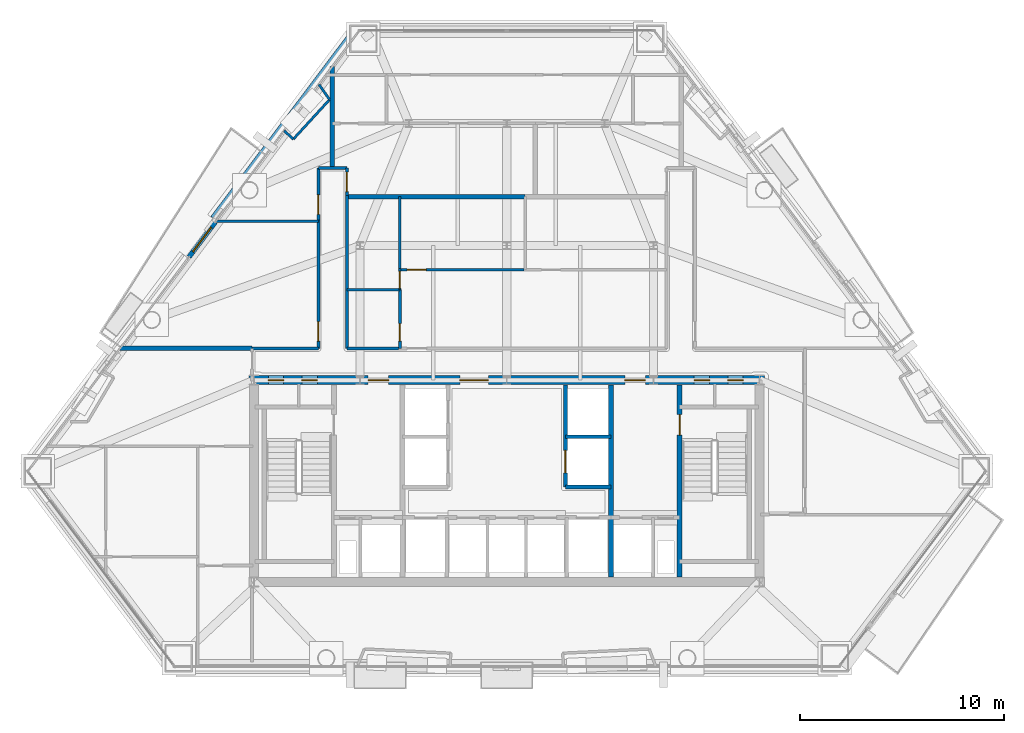
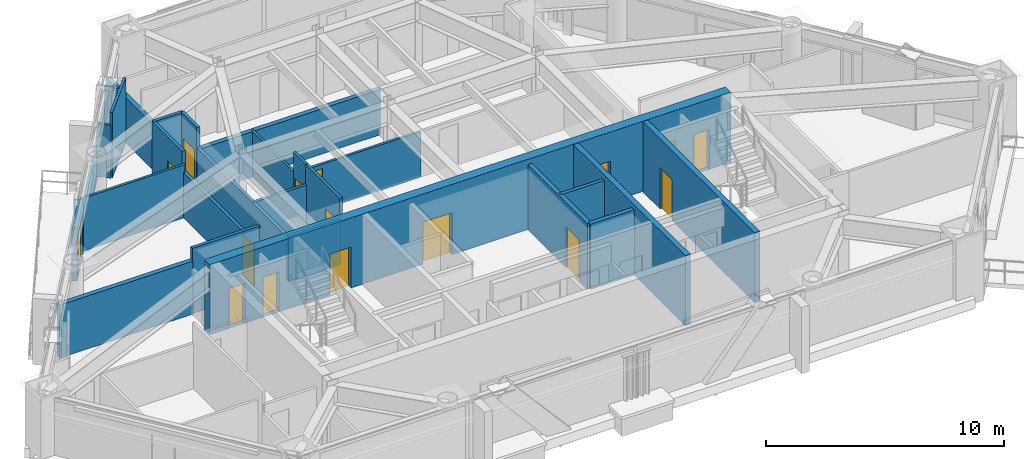
# One storey, part 7 of 11: 27 walls, 16 doors, 16 openings.
"""IFC4 building model written with IfcOpenShell, lengths in metres."""

import ifcopenshell
import ifcopenshell.guid

model = None  # the IFC model being written
_history = None  # IfcOwnerHistory: only IFC2X3 demands one
_inside = {}  # id of a spatial element -> (the spatial element, [elements in it])
_under = {}  # id of a project, library or spatial element -> (it, [spatial elements below it])
_declared = {}  # id of a project -> (the project, [libraries it declares])
_typed = {}  # id of a type object -> (the type object, [elements of that type])
_made_of = {}  # id of a material, layer set ... -> (it, [elements and type objects made of it])


def new_model(schema):
    """Start an empty IFC model of exactly this schema.

    Asked for "IFC4X3", IfcOpenShell would pick the latest addendum, in which some entities
    have other attributes; the version numbers below select the first issue.
    IFC2X3 requires an IfcOwnerHistory on every rooted entity: one is made here for all.
    """
    global model, _history
    if schema == "IFC4X3":
        model = ifcopenshell.file(schema_version=(4, 3, 0, 0))
    else:
        model = ifcopenshell.file(schema=schema)
    _inside.clear()
    _under.clear()
    _declared.clear()
    _typed.clear()
    _made_of.clear()
    _history = None
    if model.schema == "IFC2X3":
        org = make("IfcOrganization", Name="unknown")
        user = make(
            "IfcPersonAndOrganization",
            ThePerson=make("IfcPerson", FamilyName="unknown"),
            TheOrganization=org,
        )
        app = make(
            "IfcApplication",
            ApplicationDeveloper=org,
            Version="unknown",
            ApplicationFullName="unknown",
            ApplicationIdentifier="unknown",
        )
        _history = make(
            "IfcOwnerHistory",
            OwningUser=user,
            OwningApplication=app,
            ChangeAction="ADDED",
            CreationDate=0,
        )
    return model


def make(cls, **values):
    """One entity of the class cls with the attributes given. An attribute that is None is left unset."""
    return model.create_entity(
        cls, **{name: value for name, value in values.items() if value is not None}
    )


def rooted(cls, **values):
    """An entity with a GlobalId (a new one), such as an element, a storey or a relation."""
    return make(cls, GlobalId=ifcopenshell.guid.new(), OwnerHistory=_history, **values)


def si_unit(unit_type, name, prefix=None):
    """IfcSIUnit, for example si_unit("LENGTHUNIT", "METRE", prefix="MILLI")."""
    return make("IfcSIUnit", UnitType=unit_type, Prefix=prefix, Name=name)


def assignment(units):
    """IfcUnitAssignment: the units of a project."""
    return None if units is None else make("IfcUnitAssignment", Units=units)


def point(xyz):
    """IfcCartesianPoint."""
    return None if xyz is None else make("IfcCartesianPoint", Coordinates=xyz)


def direction(xyz):
    """IfcDirection."""
    return None if xyz is None else make("IfcDirection", DirectionRatios=xyz)


def frame(location, z_axis=None, x_axis=None):
    """IfcAxis2Placement3D, a coordinate frame: its origin and axes. An axis left out is left unset."""
    return make(
        "IfcAxis2Placement3D",
        Location=point(location),
        Axis=direction(z_axis),
        RefDirection=direction(x_axis),
    )


def frame_2d(location, x_axis=None):
    """IfcAxis2Placement2D, a coordinate frame in the plane: its origin and x axis."""
    return make(
        "IfcAxis2Placement2D", Location=point(location), RefDirection=direction(x_axis)
    )


def origin():
    """The frame at (0, 0, 0) with its axes left unset."""
    return frame((0.0, 0.0, 0.0))


def place(relative_to, where):
    """IfcLocalPlacement: puts the frame where relative to a parent placement (None: the world)."""
    return make(
        "IfcLocalPlacement", PlacementRelTo=relative_to, RelativePlacement=where
    )


def context(
    kind, dimensions, precision=None, world=None, true_north=None, identifier=None
):
    """IfcGeometricRepresentationContext, for example the 3D "Model" context."""
    return make(
        "IfcGeometricRepresentationContext",
        ContextIdentifier=identifier,
        ContextType=kind,
        CoordinateSpaceDimension=dimensions,
        Precision=precision,
        WorldCoordinateSystem=world,
        TrueNorth=true_north,
    )


def subcontext(parent, identifier, kind, view, scale=None):
    """IfcGeometricRepresentationSubContext, for example "Body" below "Model"."""
    return make(
        "IfcGeometricRepresentationSubContext",
        ContextIdentifier=identifier,
        ContextType=kind,
        ParentContext=parent,
        TargetScale=scale,
        TargetView=view,
    )


def project(units=None, contexts=None):
    """IfcProject with its units and contexts."""
    return rooted(
        "IfcProject",
        Name="project",
        RepresentationContexts=contexts,
        UnitsInContext=assignment(units),
    )


def spatial(cls, under=None, at=None, **own):
    """A site, building, storey or space (cls), placed at a placement, below another one or the project."""
    s = rooted(cls, ObjectPlacement=at, **own)
    if under is not None:
        _under.setdefault(under.id(), (under, []))[1].append(s)
    return s


def profile(cls, at=None, kind="AREA", **sizes):
    """A parametric profile (cls). Its sizes go by their IFC names, for example OverallWidth=200.0."""
    return make(cls, ProfileType=kind, Position=at, **sizes)


def rectangle(**sizes):
    """IfcRectangleProfileDef."""
    return profile("IfcRectangleProfileDef", **sizes)


def extrude(swept, where, along, depth):
    """IfcExtrudedAreaSolid: the profile swept, set in the frame where, extruded along a direction by depth."""
    return make(
        "IfcExtrudedAreaSolid",
        SweptArea=swept,
        Position=where,
        ExtrudedDirection=direction(along),
        Depth=depth,
    )


def shape(context_of_items, identifier, shape_type, items):
    """IfcShapeRepresentation: the items that make up one representation, for example the "Body"."""
    return make(
        "IfcShapeRepresentation",
        ContextOfItems=context_of_items,
        RepresentationIdentifier=identifier,
        RepresentationType=shape_type,
        Items=items,
    )


def material(Name=None, Category=None):
    """IfcMaterial."""
    return make("IfcMaterial", Name=Name, Category=Category)


def layer(
    of_material, thickness, ventilated=None, Name=None, Category=None, Priority=None
):
    """IfcMaterialLayer: one layer of a wall or slab, of a material (None: an air gap)."""
    return make(
        "IfcMaterialLayer",
        Material=of_material,
        LayerThickness=thickness,
        IsVentilated=ventilated,
        Name=Name,
        Category=Category,
        Priority=Priority,
    )


def layer_set(layers, Name=None):
    """IfcMaterialLayerSet."""
    return make("IfcMaterialLayerSet", MaterialLayers=layers, LayerSetName=Name)


def made_of(thing, what):
    """Note that an element or type object is made of a material, layer set ...; save() writes the relation."""
    if what is not None:
        _made_of.setdefault(what.id(), (what, []))[1].append(thing)
    return thing


def type_object(cls, material=None, **own):
    """A type object (cls), such as IfcWallType, which elements share."""
    return made_of(rooted(cls, **own), material)


def element(
    cls,
    number,
    at=None,
    inside=None,
    cuts=None,
    type_object=None,
    material=None,
    context=None,
    identifier="Body",
    shape_type=None,
    held_by="IfcProductDefinitionShape",
    body=None,
    shapes=None,
    **own,
):
    """One element of the class cls, such as IfcWall. Its Tag is "e" and its number.

    at: its placement. inside: the storey or other place that contains it. cuts: it is an
    opening in that element (IfcRelVoidsElement). A single representation is given by context,
    identifier, shape_type and body (its items); several are given by shapes. held_by: the class
    of the entity that holds the representations. save() writes the other relations.
    """
    e = rooted(cls, Tag="e%d" % number, ObjectPlacement=at, **own)
    if body is not None:
        shapes = [shape(context, identifier, shape_type, body)]
    if shapes is not None:
        e.Representation = make(held_by, Representations=shapes)
    if inside is not None:
        _inside.setdefault(inside.id(), (inside, []))[1].append(e)
    if cuts is not None:
        rooted(
            "IfcRelVoidsElement", RelatingBuildingElement=cuts, RelatedOpeningElement=e
        )
    if type_object is not None:
        _typed.setdefault(type_object.id(), (type_object, []))[1].append(e)
    return made_of(e, material)


def fill(opening, filler):
    """IfcRelFillsElement: the door or window that sits in an opening."""
    return rooted(
        "IfcRelFillsElement",
        RelatingOpeningElement=opening,
        RelatedBuildingElement=filler,
    )


def aggregate(whole, parts):
    """IfcRelAggregates: a whole, such as a stair, and the parts it consists of."""
    return rooted("IfcRelAggregates", RelatingObject=whole, RelatedObjects=parts)


def save(model, path):
    """Write the relations noted so far, then the file.

    IfcRelAggregates (storeys below a building ...), IfcRelContainedInSpatialStructure (elements
    in a storey), IfcRelDefinesByType, IfcRelAssociatesMaterial and IfcRelDeclares: one each for
    every whole, place, type object, material and project.
    """
    for whole, parts in _under.values():
        aggregate(whole, parts)
    for where, things in _inside.values():
        rooted(
            "IfcRelContainedInSpatialStructure",
            RelatedElements=things,
            RelatingStructure=where,
        )
    for kind, things in _typed.values():
        rooted("IfcRelDefinesByType", RelatedObjects=things, RelatingType=kind)
    for what, things in _made_of.values():
        rooted("IfcRelAssociatesMaterial", RelatedObjects=things, RelatingMaterial=what)
    for by, libraries in _declared.values():
        rooted("IfcRelDeclares", RelatingContext=by, RelatedDefinitions=libraries)
    model.write(path)


model = new_model("IFC4")

# Units and contexts
model_context = context("Model", 3, precision=1e-05, world=origin(), true_north=direction((0.0, 1.0)))
body_context = subcontext(model_context, "Body", "Model", "MODEL_VIEW")
ifc_project = project(units=[si_unit("LENGTHUNIT", "METRE"), si_unit("AREAUNIT", "SQUARE_METRE"), si_unit("VOLUMEUNIT", "CUBIC_METRE"), si_unit("PLANEANGLEUNIT", "RADIAN"), si_unit("MASSUNIT", "GRAM", prefix="KILO")], contexts=[model_context])

# Site, building, storey
site_placement = place(None, origin())
site = spatial("IfcSite", under=ifc_project, at=site_placement, CompositionType="ELEMENT")
building_placement = place(site_placement, origin())
building = spatial("IfcBuilding", under=site, at=building_placement, Name="Talgorran Terracotta Tower", CompositionType="ELEMENT")
storey_placement = place(building_placement, frame((0.0, 0.0, 79.199951171875)))
storey = spatial("IfcBuildingStorey", under=building, at=storey_placement, Name="L20", CompositionType="ELEMENT", Elevation=79.199951171875)

# Wall, opening, door
ifc_material_1 = material(Name="Concrete C40/50", Category="concrete")
ifc_layer_1 = layer(ifc_material_1, 0.239990234375, Name="WT_BALCONY_SPAND")
ifc_layer_set_1 = layer_set([ifc_layer_1], Name="Concrete C40/50")
wall_type_1 = type_object("IfcWallType", Name="WT_BALCONY_SPAND", PredefinedType="STANDARD", material=ifc_layer_set_1)
wall_1_placement = place(storey_placement, frame((-14.303955078125, 3.556640625, -0.014892578125), z_axis=(0.0, 0.0, 1.0), x_axis=(-0.601313387004, -0.799013273112, 0.0)))
wall_1 = element("IfcWall", 1, at=wall_1_placement, inside=storey, type_object=wall_type_1, Name="WL-L20-BALP-BAL-NW", PredefinedType="STANDARD", context=body_context, shape_type="SweptSolid", body=[
    extrude(rectangle(XDim=2.14013671875, YDim=0.239990234375, at=frame_2d((1.070068359375, 0.0))), origin(), (0.0, 0.0, 1.0), 2.728271484375),
])
opening_1_placement = place(wall_1_placement, frame((0.320068359375, 0.0, 0.014892578125)))
opening_1 = element("IfcOpeningElement", 2, at=opening_1_placement, cuts=wall_1, Name="Opening D-BAL-L20-2", PredefinedType="OPENING", context=body_context, shape_type="SweptSolid", body=[
    extrude(rectangle(XDim=1.506, YDim=2.203951171875, at=frame_2d((0.75, 1.10205078125))), frame((0.0, 0.1298828125, 0.0), z_axis=(0.0, -1.0, 0.0), x_axis=(1.0, 0.0, 0.0)), (0.0, 0.0, 1.0), 0.260009765625),
])
ifc_material_2 = material(Name="Thermally Broken Aluminium", Category="aluminium")
door_type_1 = type_object("IfcDoorType", Name="DT_BALC_1500", OperationType="SLIDING_TO_RIGHT", PredefinedType="DOOR", material=ifc_material_2)
door_1_placement = place(opening_1_placement, origin())
door_1 = element("IfcDoor", 3, at=door_1_placement, inside=storey, type_object=door_type_1, Name="DR-L20-BAL-BAL-NW", OperationType="SLIDING_TO_RIGHT", OverallHeight=2.199951171875, OverallWidth=1.5, PredefinedType="DOOR", context=body_context, shape_type="SweptSolid", body=[
    extrude(rectangle(XDim=1.5, YDim=2.199951171875, at=frame_2d((0.75, 1.10009765625))), frame((0.0, 0.02490234375, 0.0), z_axis=(0.0, -1.0, 0.0), x_axis=(1.0, 0.0, 0.0)), (0.0, 0.0, 1.0), 0.050048828125),
])
fill(opening_1, door_1)

ifc_material_3 = material(Name="Concrete C50/60", Category="concrete")
ifc_layer_2 = layer(ifc_material_3, 0.199951171875, Name="WT_CORE_200")
ifc_layer_set_2 = layer_set([ifc_layer_2], Name="Concrete C50/60")
wall_type_2 = type_object("IfcWallType", Name="WT_CORE_200", PredefinedType="SOLIDWALL", material=ifc_layer_set_2)
wall_2_placement = place(storey_placement, frame((2.8798828125, -9.449951171875, 0.0), z_axis=(0.0, 0.0, 1.0), x_axis=(0.0, 1.0, 0.0)))
wall_2 = element("IfcWall", 4, at=wall_2_placement, inside=storey, type_object=wall_type_2, Name="WL-L20-CW-V-E3", PredefinedType="SOLIDWALL", context=body_context, shape_type="SweptSolid", body=[
    extrude(rectangle(XDim=5.0, YDim=0.199951171875, at=frame_2d((2.5, 0.0))), origin(), (0.0, 0.0, 1.0), 3.35009765625),
])
opening_2_placement = place(wall_2_placement, frame((0.699951171875, 0.0, 0.0)))
opening_2 = element("IfcOpeningElement", 5, at=opening_2_placement, cuts=wall_2, Name="Opening LD-PLM1", PredefinedType="OPENING", context=body_context, shape_type="SweptSolid", body=[
    extrude(rectangle(XDim=1.10609765625, YDim=2.10409765625, at=frame_2d((0.550048828125, 1.052001953125))), frame((0.0, 0.10986328125, 0.0), z_axis=(0.0, -1.0, 0.0), x_axis=(1.0, 0.0, 0.0)), (0.0, 0.0, 1.0), 0.219970703125),
])
ifc_material_4 = material(Name="Brushed Stainless Steel Grade 304", Category="steel")
door_type_2 = type_object("IfcDoorType", Name="DT_LIFT_LD1100", OperationType="DOUBLE_DOOR_SLIDING", PredefinedType="DOOR", material=ifc_material_4)
door_2_placement = place(opening_2_placement, origin())
door_2 = element("IfcDoor", 6, at=door_2_placement, inside=storey, type_object=door_type_2, Name="L20 Lift Landing Door LD-PLM1", OperationType="DOUBLE_DOOR_SLIDING", OverallHeight=2.10009765625, OverallWidth=1.10009765625, PredefinedType="DOOR", context=body_context, shape_type="SweptSolid", body=[
    extrude(rectangle(XDim=1.10009765625, YDim=2.10009765625, at=frame_2d((0.550048828125, 1.050048828125))), frame((0.0, 0.02490234375, 0.0), z_axis=(0.0, -1.0, 0.0), x_axis=(1.0, 0.0, 0.0)), (0.0, 0.0, 1.0), 0.050048828125),
])
fill(opening_2, door_2)

# Wall
wall_3_placement = place(storey_placement, frame((2.8798828125, -9.449951171875, 0.0), z_axis=(0.0, 0.0, 1.0), x_axis=(1.0, 0.0, 0.0)))
element("IfcWall", 7, at=wall_3_placement, inside=storey, type_object=wall_type_2, Name="WL-L20-CW-H-E4", PredefinedType="SOLIDWALL", context=body_context, shape_type="SweptSolid", body=[
    extrude(rectangle(XDim=2.240234375, YDim=0.199951171875, at=frame_2d((1.1201171875, 0.0))), origin(), (0.0, 0.0, 1.0), 3.35009765625),
])

# Wall, opening, door
ifc_layer_3 = layer(ifc_material_3, 0.25, Name="WT_CORE_250")
ifc_layer_set_3 = layer_set([ifc_layer_3], Name="Concrete C50/60")
wall_type_3 = type_object("IfcWallType", Name="WT_CORE_250", PredefinedType="SHEAR", material=ifc_layer_set_3)
wall_4_placement = place(storey_placement, frame((8.47998046875, -13.85009765625, 0.0), z_axis=(0.0, 0.0, 1.0), x_axis=(0.0, 1.0, 0.0)))
wall_4 = element("IfcWall", 8, at=wall_4_placement, inside=storey, type_object=wall_type_3, Name="WL-L20-CW-V-E1", PredefinedType="SHEAR", context=body_context, shape_type="SweptSolid", body=[
    extrude(rectangle(XDim=9.400146484375, YDim=0.25, at=frame_2d((4.7001953125, 0.0))), origin(), (0.0, 0.0, 1.0), 3.60009765625),
])
opening_3_placement = place(wall_4_placement, frame((6.949951171875, 0.0, 0.0)))
opening_3 = element("IfcOpeningElement", 9, at=opening_3_placement, cuts=wall_4, Name="Opening DR-ST02", PredefinedType="OPENING", context=body_context, shape_type="SweptSolid", body=[
    extrude(rectangle(XDim=1.006, YDim=2.10409765625, at=frame_2d((0.5, 1.052001953125))), frame((0.0, 0.135009765625, 0.0), z_axis=(0.0, -1.0, 0.0), x_axis=(1.0, 0.0, 0.0)), (0.0, 0.0, 1.0), 0.27001953125),
])
ifc_material_5 = material(Name="Fire-Rated Pressed Steel", Category="steel")
door_type_3 = type_object("IfcDoorType", Name="DT_FIRE_1000", OperationType="NOTDEFINED", PredefinedType="DOOR", material=ifc_material_5)
door_3_placement = place(opening_3_placement, origin())
door_3 = element("IfcDoor", 10, at=door_3_placement, inside=storey, type_object=door_type_3, Name="DR-ST02", OperationType="SINGLE_SWING_RIGHT", OverallHeight=2.10009765625, OverallWidth=1.0, PredefinedType="DOOR", context=body_context, shape_type="SweptSolid", body=[
    extrude(rectangle(XDim=1.0, YDim=2.10009765625, at=frame_2d((0.5, 1.050048828125))), frame((0.0, 0.02490234375, 0.0), z_axis=(0.0, -1.0, 0.0), x_axis=(1.0, 0.0, 0.0)), (0.0, 0.0, 1.0), 0.050048828125),
])
fill(opening_3, door_3)

# Wall
wall_5_placement = place(storey_placement, frame((5.1201171875, -13.85009765625, 0.0), z_axis=(0.0, 0.0, 1.0), x_axis=(0.0, 1.0, 0.0)))
element("IfcWall", 11, at=wall_5_placement, inside=storey, type_object=wall_type_3, Name="WL-L20-CW-V-E2", PredefinedType="SHEAR", context=body_context, shape_type="SweptSolid", body=[
    extrude(rectangle(XDim=9.400146484375, YDim=0.25, at=frame_2d((4.7001953125, 0.0))), origin(), (0.0, 0.0, 1.0), 3.60009765625),
])

# Wall, openings, doors
ifc_material_6 = material(Name="Concrete C65/80", Category="concrete")
ifc_layer_4 = layer(ifc_material_6, 0.449951171875, Name="WT_CORE_EXT")
ifc_layer_set_4 = layer_set([ifc_layer_4], Name="Concrete C65/80")
wall_type_4 = type_object("IfcWallType", Name="WT_CORE_EXT", PredefinedType="SHEAR", material=ifc_layer_set_4)
wall_6_placement = place(storey_placement, frame((-12.64990234375, -4.199951171875, 0.0), z_axis=(0.0, 0.0, 1.0), x_axis=(1.0, 0.0, 0.0)))
wall_6 = element("IfcWall", 12, at=wall_6_placement, inside=storey, type_object=wall_type_4, Name="WL-L20-CW-OUT-N", PredefinedType="SHEAR", context=body_context, shape_type="SweptSolid", body=[
    extrude(rectangle(XDim=25.2998046875, YDim=0.449951171875, at=frame_2d((12.64990234375, 0.0))), origin(), (0.0, 0.0, 1.0), 3.60009765625),
])
opening_4_placement = place(wall_6_placement, frame((0.949951171875, 0.0, 0.0)))
opening_4 = element("IfcOpeningElement", 13, at=opening_4_placement, cuts=wall_6, Name="Opening DR-CSN1", PredefinedType="OPENING", context=body_context, shape_type="SweptSolid", body=[
    extrude(rectangle(XDim=0.756, YDim=2.054048828125, at=frame_2d((0.375, 1.027099609375))), frame((0.0, 0.23486328125, 0.0), z_axis=(0.0, -1.0, 0.0), x_axis=(1.0, 0.0, 0.0)), (0.0, 0.0, 1.0), 0.469970703125),
])
opening_5_placement = place(wall_6_placement, frame((2.60009765625, 0.0, 0.0)))
opening_5 = element("IfcOpeningElement", 14, at=opening_5_placement, cuts=wall_6, Name="Opening DR-CSN2", PredefinedType="OPENING", context=body_context, shape_type="SweptSolid", body=[
    extrude(rectangle(XDim=0.756, YDim=2.054048828125, at=frame_2d((0.375, 1.027099609375))), frame((0.0, 0.23486328125, 0.0), z_axis=(0.0, -1.0, 0.0), x_axis=(1.0, 0.0, 0.0)), (0.0, 0.0, 1.0), 0.469970703125),
])
opening_6_placement = place(wall_6_placement, frame((21.85009765625, 0.0, 0.0)))
opening_6 = element("IfcOpeningElement", 15, at=opening_6_placement, cuts=wall_6, Name="Opening DR-CSN3", PredefinedType="OPENING", context=body_context, shape_type="SweptSolid", body=[
    extrude(rectangle(XDim=0.756, YDim=2.054048828125, at=frame_2d((0.375, 1.027099609375))), frame((0.0, 0.23486328125, 0.0), z_axis=(0.0, -1.0, 0.0), x_axis=(1.0, 0.0, 0.0)), (0.0, 0.0, 1.0), 0.469970703125),
])
opening_7_placement = place(wall_6_placement, frame((23.5, 0.0, 0.0)))
opening_7 = element("IfcOpeningElement", 16, at=opening_7_placement, cuts=wall_6, Name="Opening DR-CSN4", PredefinedType="OPENING", context=body_context, shape_type="SweptSolid", body=[
    extrude(rectangle(XDim=0.756, YDim=2.054048828125, at=frame_2d((0.375, 1.027099609375))), frame((0.0, 0.23486328125, 0.0), z_axis=(0.0, -1.0, 0.0), x_axis=(1.0, 0.0, 0.0)), (0.0, 0.0, 1.0), 0.469970703125),
])
opening_8_placement = place(wall_6_placement, frame((5.85009765625, 0.0, 0.0)))
opening_8 = element("IfcOpeningElement", 17, at=opening_8_placement, cuts=wall_6, Name="Opening DR-FFLW-N", PredefinedType="OPENING", context=body_context, shape_type="SweptSolid", body=[
    extrude(rectangle(XDim=1.006, YDim=2.10409765625, at=frame_2d((0.5, 1.052001953125))), frame((0.0, 0.23486328125, 0.0), z_axis=(0.0, -1.0, 0.0), x_axis=(1.0, 0.0, 0.0)), (0.0, 0.0, 1.0), 0.469970703125),
])
opening_9_placement = place(wall_6_placement, frame((10.35009765625, 0.0, 0.0)))
opening_9 = element("IfcOpeningElement", 18, at=opening_9_placement, cuts=wall_6, Name="Opening DR-PLL-N", PredefinedType="OPENING", context=body_context, shape_type="SweptSolid", body=[
    extrude(rectangle(XDim=1.40590234375, YDim=2.15390234375, at=frame_2d((0.699951171875, 1.076904296875))), frame((0.0, 0.23486328125, 0.0), z_axis=(0.0, -1.0, 0.0), x_axis=(1.0, 0.0, 0.0)), (0.0, 0.0, 1.0), 0.469970703125),
])
opening_10_placement = place(wall_6_placement, frame((18.449951171875, 0.0, 0.0)))
opening_10 = element("IfcOpeningElement", 19, at=opening_10_placement, cuts=wall_6, Name="Opening DR-FFLE-N", PredefinedType="OPENING", context=body_context, shape_type="SweptSolid", body=[
    extrude(rectangle(XDim=1.006, YDim=2.10409765625, at=frame_2d((0.5, 1.052001953125))), frame((0.0, 0.23486328125, 0.0), z_axis=(0.0, -1.0, 0.0), x_axis=(1.0, 0.0, 0.0)), (0.0, 0.0, 1.0), 0.469970703125),
])
ifc_material_7 = material(Name="Acoustic Glazed Timber", Category="wood")
door_type_4 = type_object("IfcDoorType", Name="DT_DOUBLE_1400", OperationType="DOUBLE_DOOR_SINGLE_SWING", PredefinedType="DOOR", material=ifc_material_7)
door_4_placement = place(opening_9_placement, origin())
door_4 = element("IfcDoor", 20, at=door_4_placement, inside=storey, type_object=door_type_4, Name="DR-PLL-N", OperationType="DOUBLE_DOOR_SINGLE_SWING", OverallHeight=2.14990234375, OverallWidth=1.39990234375, PredefinedType="DOOR", context=body_context, shape_type="SweptSolid", body=[
    extrude(rectangle(XDim=1.39990234375, YDim=2.14990234375, at=frame_2d((0.699951171875, 1.074951171875))), frame((0.0, 0.02490234375, 0.0), z_axis=(0.0, -1.0, 0.0), x_axis=(1.0, 0.0, 0.0)), (0.0, 0.0, 1.0), 0.050048828125),
])
fill(opening_9, door_4)
door_5_placement = place(opening_8_placement, origin())
door_5 = element("IfcDoor", 21, at=door_5_placement, inside=storey, type_object=door_type_3, Name="DR-FFLW-N", OperationType="SINGLE_SWING_LEFT", OverallHeight=2.10009765625, OverallWidth=1.0, PredefinedType="DOOR", context=body_context, shape_type="SweptSolid", body=[
    extrude(rectangle(XDim=1.0, YDim=2.10009765625, at=frame_2d((0.5, 1.050048828125))), frame((0.0, 0.02490234375, 0.0), z_axis=(0.0, -1.0, 0.0), x_axis=(1.0, 0.0, 0.0)), (0.0, 0.0, 1.0), 0.050048828125),
])
fill(opening_8, door_5)
door_6_placement = place(opening_10_placement, origin())
door_6 = element("IfcDoor", 22, at=door_6_placement, inside=storey, type_object=door_type_3, Name="DR-FFLE-N", OperationType="SINGLE_SWING_RIGHT", OverallHeight=2.10009765625, OverallWidth=1.0, PredefinedType="DOOR", context=body_context, shape_type="SweptSolid", body=[
    extrude(rectangle(XDim=1.0, YDim=2.10009765625, at=frame_2d((0.5, 1.050048828125))), frame((0.0, 0.02490234375, 0.0), z_axis=(0.0, -1.0, 0.0), x_axis=(1.0, 0.0, 0.0)), (0.0, 0.0, 1.0), 0.050048828125),
])
fill(opening_10, door_6)
door_type_5 = type_object("IfcDoorType", Name="DT_RISER_750", OperationType="NOTDEFINED", PredefinedType="DOOR", material=ifc_material_5)
door_7_placement = place(opening_4_placement, origin())
door_7 = element("IfcDoor", 23, at=door_7_placement, inside=storey, type_object=door_type_5, Name="DR-CSN1", OperationType="SINGLE_SWING_LEFT", OverallHeight=2.050048828125, OverallWidth=0.75, PredefinedType="DOOR", context=body_context, shape_type="SweptSolid", body=[
    extrude(rectangle(XDim=0.75, YDim=2.050048828125, at=frame_2d((0.375, 1.02490234375))), frame((0.0, 0.02490234375, 0.0), z_axis=(0.0, -1.0, 0.0), x_axis=(1.0, 0.0, 0.0)), (0.0, 0.0, 1.0), 0.050048828125),
])
fill(opening_4, door_7)
door_8_placement = place(opening_5_placement, origin())
door_8 = element("IfcDoor", 24, at=door_8_placement, inside=storey, type_object=door_type_5, Name="DR-CSN2", OperationType="SINGLE_SWING_RIGHT", OverallHeight=2.050048828125, OverallWidth=0.75, PredefinedType="DOOR", context=body_context, shape_type="SweptSolid", body=[
    extrude(rectangle(XDim=0.75, YDim=2.050048828125, at=frame_2d((0.375, 1.02490234375))), frame((0.0, 0.02490234375, 0.0), z_axis=(0.0, -1.0, 0.0), x_axis=(1.0, 0.0, 0.0)), (0.0, 0.0, 1.0), 0.050048828125),
])
fill(opening_5, door_8)
door_9_placement = place(opening_6_placement, origin())
door_9 = element("IfcDoor", 25, at=door_9_placement, inside=storey, type_object=door_type_5, Name="DR-CSN3", OperationType="SINGLE_SWING_LEFT", OverallHeight=2.050048828125, OverallWidth=0.75, PredefinedType="DOOR", context=body_context, shape_type="SweptSolid", body=[
    extrude(rectangle(XDim=0.75, YDim=2.050048828125, at=frame_2d((0.375, 1.02490234375))), frame((0.0, 0.02490234375, 0.0), z_axis=(0.0, -1.0, 0.0), x_axis=(1.0, 0.0, 0.0)), (0.0, 0.0, 1.0), 0.050048828125),
])
fill(opening_6, door_9)
door_10_placement = place(opening_7_placement, origin())
door_10 = element("IfcDoor", 26, at=door_10_placement, inside=storey, type_object=door_type_5, Name="DR-CSN4", OperationType="SINGLE_SWING_RIGHT", OverallHeight=2.050048828125, OverallWidth=0.75, PredefinedType="DOOR", context=body_context, shape_type="SweptSolid", body=[
    extrude(rectangle(XDim=0.75, YDim=2.050048828125, at=frame_2d((0.375, 1.02490234375))), frame((0.0, 0.02490234375, 0.0), z_axis=(0.0, -1.0, 0.0), x_axis=(1.0, 0.0, 0.0)), (0.0, 0.0, 1.0), 0.050048828125),
])
fill(opening_7, door_10)

# Wall, opening, door
ifc_material_8 = material(Name="Fire-Rated Steel Stud Plasterboard", Category="steel")
ifc_layer_5 = layer(ifc_material_8, 0.14990234375, Name="WT_FIRE_150")
ifc_layer_set_5 = layer_set([ifc_layer_5], Name="Fire-Rated Steel Stud Plasterboard")
wall_type_5 = type_object("IfcWallType", Name="WT_FIRE_150", PredefinedType="PARTITIONING", material=ifc_layer_set_5)
wall_7_placement = place(storey_placement, frame((-9.239990234375, -2.639892578125, 0.0), z_axis=(0.0, 0.0, 1.0), x_axis=(0.0, 1.0, 0.0)))
wall_7 = element("IfcWall", 27, at=wall_7_placement, inside=storey, type_object=wall_type_5, Name="WL-L20-W-L20-R06", PredefinedType="PARTITIONING", context=body_context, shape_type="SweptSolid", body=[
    extrude(rectangle(XDim=6.2998046875, YDim=0.14990234375, at=frame_2d((3.14990234375, 0.0))), origin(), (0.0, 0.0, 1.0), 2.324951171875),
])
opening_11_placement = place(wall_7_placement, frame((0.359619140625, 0.0, 0.0)))
opening_11 = element("IfcOpeningElement", 28, at=opening_11_placement, cuts=wall_7, Name="Opening DR-L20-R07", PredefinedType="OPENING", context=body_context, shape_type="SweptSolid", body=[
    extrude(rectangle(XDim=0.955951171875, YDim=2.10409765625, at=frame_2d((0.47509765625, 1.052001953125))), frame((0.0, 0.0849609375, 0.0), z_axis=(0.0, -1.0, 0.0), x_axis=(1.0, 0.0, 0.0)), (0.0, 0.0, 1.0), 0.169921875),
])
ifc_material_9 = material(Name="Fire-Rated Timber Core", Category="wood")
door_type_6 = type_object("IfcDoorType", Name="DT_FIRE_950", OperationType="NOTDEFINED", PredefinedType="DOOR", material=ifc_material_9)
door_11_placement = place(opening_11_placement, origin())
door_11 = element("IfcDoor", 29, at=door_11_placement, inside=storey, type_object=door_type_6, Name="DR-L20-R07", OperationType="SINGLE_SWING_LEFT", OverallHeight=2.10009765625, OverallWidth=0.949951171875, PredefinedType="DOOR", context=body_context, shape_type="SweptSolid", body=[
    extrude(rectangle(XDim=0.949951171875, YDim=2.10009765625, at=frame_2d((0.47509765625, 1.050048828125))), frame((0.0, 0.02490234375, 0.0), z_axis=(0.0, -1.0, 0.0), x_axis=(1.0, 0.0, 0.0)), (0.0, 0.0, 1.0), 0.050048828125),
])
fill(opening_11, door_11)

# Walls
wall_8_placement = place(storey_placement, frame((-7.840087890625, -2.639892578125, 0.0), z_axis=(0.0, 0.0, 1.0), x_axis=(0.0, 1.0, 0.0)))
element("IfcWall", 30, at=wall_8_placement, inside=storey, type_object=wall_type_5, Name="WL-L20-W-L20-R11", PredefinedType="PARTITIONING", context=body_context, shape_type="SweptSolid", body=[
    extrude(rectangle(XDim=7.5, YDim=0.14990234375, at=frame_2d((3.75, 0.0))), origin(), (0.0, 0.0, 1.0), 2.324951171875),
])
wall_9_placement = place(storey_placement, frame((-12.5, -2.639892578125, 0.0), z_axis=(0.0, 0.0, 1.0), x_axis=(1.0, 0.0, 0.0)))
element("IfcWall", 31, at=wall_9_placement, inside=storey, type_object=wall_type_5, Name="WL-L20-W-L20-R05", PredefinedType="PARTITIONING", context=body_context, shape_type="SweptSolid", body=[
    extrude(rectangle(XDim=3.260009765625, YDim=0.14990234375, at=frame_2d((1.6298828125, 0.0))), origin(), (0.0, 0.0, 1.0), 3.35009765625),
])

# Wall, opening, door
wall_10_placement = place(storey_placement, frame((-9.239990234375, 3.662109375, 0.0), z_axis=(0.0, 0.0, 1.0), x_axis=(0.0, 1.0, 0.0)))
wall_10 = element("IfcWall", 32, at=wall_10_placement, inside=storey, type_object=wall_type_5, Name="WL-L20-W-L20-R07", PredefinedType="PARTITIONING", context=body_context, shape_type="SweptSolid", body=[
    extrude(rectangle(XDim=2.537841796875, YDim=0.14990234375, at=frame_2d((1.26904296875, 0.0))), origin(), (0.0, 0.0, 1.0), 3.35009765625),
])
opening_12_placement = place(wall_10_placement, frame((0.276123046875, 0.0, 0.0)))
opening_12 = element("IfcOpeningElement", 33, at=opening_12_placement, cuts=wall_10, Name="Opening DR-L20-R08", PredefinedType="OPENING", context=body_context, shape_type="SweptSolid", body=[
    extrude(rectangle(XDim=0.955951171875, YDim=2.10409765625, at=frame_2d((0.47509765625, 1.052001953125))), frame((0.0, 0.0849609375, 0.0), z_axis=(0.0, -1.0, 0.0), x_axis=(1.0, 0.0, 0.0)), (0.0, 0.0, 1.0), 0.169921875),
])
door_12_placement = place(opening_12_placement, origin())
door_12 = element("IfcDoor", 34, at=door_12_placement, inside=storey, type_object=door_type_6, Name="DR-L20-R08", OperationType="SINGLE_SWING_RIGHT", OverallHeight=2.10009765625, OverallWidth=0.949951171875, PredefinedType="DOOR", context=body_context, shape_type="SweptSolid", body=[
    extrude(rectangle(XDim=0.949951171875, YDim=2.10009765625, at=frame_2d((0.47509765625, 1.050048828125))), frame((0.0, 0.02490234375, 0.0), z_axis=(0.0, -1.0, 0.0), x_axis=(1.0, 0.0, 0.0)), (0.0, 0.0, 1.0), 0.050048828125),
])
fill(opening_12, door_12)

# Wall
wall_11_placement = place(storey_placement, frame((-7.840087890625, -2.639892578125, 0.0), z_axis=(0.0, 0.0, 1.0), x_axis=(1.0, 0.0, 0.0)))
element("IfcWall", 35, at=wall_11_placement, inside=storey, type_object=wall_type_5, Name="WL-L20-W-L20-R10", PredefinedType="PARTITIONING", context=body_context, shape_type="SweptSolid", body=[
    extrude(rectangle(XDim=2.51806640625, YDim=0.14990234375, at=frame_2d((1.259033203125, 0.0))), origin(), (0.0, 0.0, 1.0), 2.324951171875),
])

# Wall, opening, door
wall_12_placement = place(storey_placement, frame((-7.840087890625, 4.862060546875, 0.0), z_axis=(0.0, 0.0, 1.0), x_axis=(0.0, 1.0, 0.0)))
wall_12 = element("IfcWall", 36, at=wall_12_placement, inside=storey, type_object=wall_type_5, Name="WL-L20-W-L20-R16", PredefinedType="PARTITIONING", context=body_context, shape_type="SweptSolid", body=[
    extrude(rectangle(XDim=1.337890625, YDim=0.14990234375, at=frame_2d((0.6689453125, 0.0))), origin(), (0.0, 0.0, 1.0), 3.35009765625),
])
opening_13_placement = place(wall_12_placement, frame((0.19091796875, 0.0, 0.0)))
opening_13 = element("IfcOpeningElement", 37, at=opening_13_placement, cuts=wall_12, Name="Opening DR-L20-R14", PredefinedType="OPENING", context=body_context, shape_type="SweptSolid", body=[
    extrude(rectangle(XDim=0.955951171875, YDim=2.10409765625, at=frame_2d((0.47509765625, 1.052001953125))), frame((0.0, 0.0849609375, 0.0), z_axis=(0.0, -1.0, 0.0), x_axis=(1.0, 0.0, 0.0)), (0.0, 0.0, 1.0), 0.169921875),
])
door_13_placement = place(opening_13_placement, origin())
door_13 = element("IfcDoor", 38, at=door_13_placement, inside=storey, type_object=door_type_6, Name="DR-L20-R14", OperationType="SINGLE_SWING_RIGHT", OverallHeight=2.10009765625, OverallWidth=0.949951171875, PredefinedType="DOOR", context=body_context, shape_type="SweptSolid", body=[
    extrude(rectangle(XDim=0.949951171875, YDim=2.10009765625, at=frame_2d((0.47509765625, 1.050048828125))), frame((0.0, 0.02490234375, 0.0), z_axis=(0.0, -1.0, 0.0), x_axis=(1.0, 0.0, 0.0)), (0.0, 0.0, 1.0), 0.050048828125),
])
fill(opening_13, door_13)

# Walls
wall_13_placement = place(storey_placement, frame((-9.239990234375, 6.199951171875, 0.0), z_axis=(0.0, 0.0, 1.0), x_axis=(1.0, 0.0, 0.0)))
element("IfcWall", 39, at=wall_13_placement, inside=storey, type_object=wall_type_5, Name="WL-L20-W-L20-R15", PredefinedType="PARTITIONING", context=body_context, shape_type="SweptSolid", body=[
    extrude(rectangle(XDim=1.39990234375, YDim=0.14990234375, at=frame_2d((0.699951171875, 0.0))), origin(), (0.0, 0.0, 1.0), 3.35009765625),
])
ifc_layer_6 = layer(ifc_material_1, 0.219970703125, Name="WT_PARAPET_RC")
ifc_layer_set_6 = layer_set([ifc_layer_6], Name="Concrete C40/50")
wall_type_6 = type_object("IfcWallType", Name="WT_PARAPET_RC", PredefinedType="PARAPET", material=ifc_layer_set_6)
wall_14_placement = place(storey_placement, frame((-7.43408203125, 12.953125, -0.199951171875), z_axis=(0.0, 0.0, 1.0), x_axis=(-0.601230457929, -0.799075676303, 0.0)))
element("IfcWall", 40, at=wall_14_placement, inside=storey, type_object=wall_type_6, Name="L20 Striped Portal Precast Cornice F60", PredefinedType="PARAPET", context=body_context, shape_type="SweptSolid", body=[
    extrude(rectangle(XDim=11.549072265625, YDim=0.360107421875, at=frame_2d((5.7744140625, 0.0))), origin(), (0.0, 0.0, 1.0), 0.3798828125),
])
ifc_material_10 = material(Name="Acoustic Masonry and Plasterboard", Category="masonry")
ifc_layer_7 = layer(ifc_material_10, 0.219970703125, Name="WT_PARTY_220")
ifc_layer_set_7 = layer_set([ifc_layer_7], Name="Acoustic Masonry and Plasterboard")
wall_type_7 = type_object("IfcWallType", Name="WT_PARTY_220", PredefinedType="PARTITIONING", material=ifc_layer_set_7)
wall_15_placement = place(storey_placement, frame((-18.966552734375, -2.639892578125, 0.0), z_axis=(0.0, 0.0, 1.0), x_axis=(1.0, 0.0, 0.0)))
element("IfcWall", 41, at=wall_15_placement, inside=storey, type_object=wall_type_7, Name="WL-L20-W-L20-R25", PredefinedType="PARTITIONING", context=body_context, shape_type="SweptSolid", body=[
    extrude(rectangle(XDim=6.466552734375, YDim=0.219970703125, at=frame_2d((3.2333984375, 0.0))), origin(), (0.0, 0.0, 1.0), 2.71337890625),
])
wall_16_placement = place(storey_placement, frame((-7.840087890625, 4.800048828125, 0.0), z_axis=(0.0, 0.0, 1.0), x_axis=(1.0, 0.0, 0.0)))
element("IfcWall", 42, at=wall_16_placement, inside=storey, type_object=wall_type_7, Name="WL-L20-W-L20-R46", PredefinedType="PARTITIONING", context=body_context, shape_type="SweptSolid", body=[
    extrude(rectangle(XDim=8.739990234375, YDim=0.219970703125, at=frame_2d((4.3701171875, 0.0))), origin(), (0.0, 0.0, 1.0), 2.324951171875),
])
wall_17_placement = place(storey_placement, frame((-8.56005859375, 6.199951171875, 0.0), z_axis=(0.0, 0.0, 1.0), x_axis=(0.0, 1.0, 0.0)))
element("IfcWall", 43, at=wall_17_placement, inside=storey, type_object=wall_type_7, Name="WL-L20-W-L20-R37", PredefinedType="PARTITIONING", context=body_context, shape_type="SweptSolid", body=[
    extrude(rectangle(XDim=4.99072265625, YDim=0.219970703125, at=frame_2d((2.495361328125, 0.0))), origin(), (0.0, 0.0, 1.0), 2.324951171875),
])

# Wall, opening, door
ifc_material_11 = material(Name="Insulated Steel Stud Plasterboard", Category="steel")
ifc_layer_8 = layer(ifc_material_11, 0.1201171875, Name="WT_PART_120")
ifc_layer_set_8 = layer_set([ifc_layer_8], Name="Insulated Steel Stud Plasterboard")
wall_type_8 = type_object("IfcWallType", Name="WT_PART_120", PredefinedType="PARTITIONING", material=ifc_layer_set_8)
wall_18_placement = place(storey_placement, frame((-5.239990234375, 1.219970703125, 0.0), z_axis=(0.0, 0.0, 1.0), x_axis=(1.0, 0.0, 0.0)))
wall_18 = element("IfcWall", 44, at=wall_18_placement, inside=storey, type_object=wall_type_8, Name="WL-L20-W-L20-R43", PredefinedType="PARTITIONING", context=body_context, shape_type="SweptSolid", body=[
    extrude(rectangle(XDim=6.077880859375, YDim=0.1201171875, at=frame_2d((3.0390625, 0.0))), origin(), (0.0, 0.0, 1.0), 2.324951171875),
])
opening_14_placement = place(wall_18_placement, frame((0.358154296875, 0.0, 0.0)))
opening_14 = element("IfcOpeningElement", 45, at=opening_14_placement, cuts=wall_18, Name="Opening DR-L20-R12", PredefinedType="OPENING", context=body_context, shape_type="SweptSolid", body=[
    extrude(rectangle(XDim=0.925921875, YDim=2.10409765625, at=frame_2d((0.4599609375, 1.052001953125))), frame((0.0, 0.070068359375, 0.0), z_axis=(0.0, -1.0, 0.0), x_axis=(1.0, 0.0, 0.0)), (0.0, 0.0, 1.0), 0.14013671875),
])
ifc_material_12 = material(Name="Solid-Core Painted Timber", Category="wood")
door_type_7 = type_object("IfcDoorType", Name="DT_INT_920", OperationType="NOTDEFINED", PredefinedType="DOOR", material=ifc_material_12)
door_14_placement = place(opening_14_placement, origin())
door_14 = element("IfcDoor", 46, at=door_14_placement, inside=storey, type_object=door_type_7, Name="DR-L20-R12", OperationType="SINGLE_SWING_RIGHT", OverallHeight=2.10009765625, OverallWidth=0.919921875, PredefinedType="DOOR", context=body_context, shape_type="SweptSolid", body=[
    extrude(rectangle(XDim=0.919921875, YDim=2.10009765625, at=frame_2d((0.4599609375, 1.050048828125))), frame((0.0, 0.02490234375, 0.0), z_axis=(0.0, -1.0, 0.0), x_axis=(1.0, 0.0, 0.0)), (0.0, 0.0, 1.0), 0.050048828125),
])
fill(opening_14, door_14)

# Walls
wall_19_placement = place(storey_placement, frame((-14.271484375, 3.60009765625, 0.0), z_axis=(0.0, 0.0, 1.0), x_axis=(1.0, 0.0, 0.0)))
element("IfcWall", 47, at=wall_19_placement, inside=storey, type_object=wall_type_8, Name="WL-L20-W-L20-R35", PredefinedType="PARTITIONING", context=body_context, shape_type="SweptSolid", body=[
    extrude(rectangle(XDim=5.031494140625, YDim=0.1201171875, at=frame_2d((2.515625, 0.0))), origin(), (0.0, 0.0, 1.0), 2.71337890625),
])
wall_20_placement = place(storey_placement, frame((-5.239990234375, 1.159912109375, 0.0), z_axis=(0.0, 0.0, 1.0), x_axis=(0.0, 1.0, 0.0)))
element("IfcWall", 48, at=wall_20_placement, inside=storey, type_object=wall_type_8, Name="WL-L20-W-L20-R41", PredefinedType="PARTITIONING", context=body_context, shape_type="SweptSolid", body=[
    extrude(rectangle(XDim=3.64013671875, YDim=0.1201171875, at=frame_2d((1.820068359375, 0.0))), origin(), (0.0, 0.0, 1.0), 2.324951171875),
])
wall_21_placement = place(storey_placement, frame((-8.693603515625, 9.56640625, 0.0), z_axis=(0.0, 0.0, 1.0), x_axis=(-0.675779241876, -0.737104074232, 0.0)))
element("IfcWall", 49, at=wall_21_placement, inside=storey, type_object=wall_type_8, Name="WL-L20-BW-L20-16", PredefinedType="PARTITIONING", context=body_context, shape_type="SweptSolid", body=[
    extrude(rectangle(XDim=2.631591796875, YDim=0.1201171875, at=frame_2d((1.31591796875, 0.0))), origin(), (0.0, 0.0, 1.0), 3.35009765625),
])

# Wall, opening, door
wall_22_placement = place(storey_placement, frame((-5.239990234375, 0.239990234375, 0.0), z_axis=(0.0, 0.0, 1.0), x_axis=(0.0, 1.0, 0.0)))
wall_22 = element("IfcWall", 50, at=wall_22_placement, inside=storey, type_object=wall_type_8, Name="WL-L20-W-L20-R40", PredefinedType="PARTITIONING", context=body_context, shape_type="SweptSolid", body=[
    extrude(rectangle(XDim=1.0400390625, YDim=0.1201171875, at=frame_2d((0.52001953125, 0.0))), origin(), (0.0, 0.0, 1.0), 3.35009765625),
])
opening_15_placement = place(wall_22_placement, frame((0.080078125, 0.0, 0.0)))
opening_15 = element("IfcOpeningElement", 51, at=opening_15_placement, cuts=wall_22, Name="Opening DR-L20-R10", PredefinedType="OPENING", context=body_context, shape_type="SweptSolid", body=[
    extrude(rectangle(XDim=0.826068359375, YDim=2.10409765625, at=frame_2d((0.41015625, 1.052001953125))), frame((0.0, 0.070068359375, 0.0), z_axis=(0.0, -1.0, 0.0), x_axis=(1.0, 0.0, 0.0)), (0.0, 0.0, 1.0), 0.14013671875),
])
ifc_material_13 = material(Name="Moisture-Resistant Solid Timber", Category="wood")
door_type_8 = type_object("IfcDoorType", Name="DT_INT_820", OperationType="NOTDEFINED", PredefinedType="DOOR", material=ifc_material_13)
door_15_placement = place(opening_15_placement, origin())
door_15 = element("IfcDoor", 52, at=door_15_placement, inside=storey, type_object=door_type_8, Name="DR-L20-R10", OperationType="SINGLE_SWING_RIGHT", OverallHeight=2.10009765625, OverallWidth=0.820068359375, PredefinedType="DOOR", context=body_context, shape_type="SweptSolid", body=[
    extrude(rectangle(XDim=0.820068359375, YDim=2.10009765625, at=frame_2d((0.41015625, 1.050048828125))), frame((0.0, 0.02490234375, 0.0), z_axis=(0.0, -1.0, 0.0), x_axis=(1.0, 0.0, 0.0)), (0.0, 0.0, 1.0), 0.050048828125),
])
fill(opening_15, door_15)

# Walls
wall_23_placement = place(storey_placement, frame((-9.212646484375, 10.306396484375, 0.0), z_axis=(0.0, 0.0, 1.0), x_axis=(0.574241580185, -0.818685902888, 0.0)))
element("IfcWall", 53, at=wall_23_placement, inside=storey, type_object=wall_type_8, Name="WL-L20-BW-L20-15", PredefinedType="PARTITIONING", context=body_context, shape_type="SweptSolid", body=[
    extrude(rectangle(XDim=0.90380859375, YDim=0.1201171875, at=frame_2d((0.451904296875, 0.0))), origin(), (0.0, 0.0, 1.0), 2.71337890625),
])
wall_24_placement = place(storey_placement, frame((-10.471923828125, 7.626708984375, 0.0), z_axis=(0.0, 0.0, 1.0), x_axis=(-0.737154140201, 0.675724628517, 0.0)))
element("IfcWall", 54, at=wall_24_placement, inside=storey, type_object=wall_type_8, Name="WL-L20-BW-L20-17", PredefinedType="PARTITIONING", context=body_context, shape_type="SweptSolid", body=[
    extrude(rectangle(XDim=0.608154296875, YDim=0.1201171875, at=frame_2d((0.30419921875, 0.0))), origin(), (0.0, 0.0, 1.0), 2.71337890625),
])

# Wall, opening, door
ifc_material_14 = material(Name="Moisture-Resistant Stud Wall")
ifc_layer_9 = layer(ifc_material_14, 0.135009765625, Name="WT_PART_135")
ifc_layer_set_9 = layer_set([ifc_layer_9], Name="Moisture-Resistant Stud Wall")
wall_type_9 = type_object("IfcWallType", Name="WT_PART_135", PredefinedType="PARTITIONING", material=ifc_layer_set_9)
wall_25_placement = place(storey_placement, frame((-5.239990234375, -2.639892578125, 0.0), z_axis=(0.0, 0.0, 1.0), x_axis=(0.0, 1.0, 0.0)))
wall_25 = element("IfcWall", 55, at=wall_25_placement, inside=storey, type_object=wall_type_9, Name="WL-L20-W-L20-R39", PredefinedType="PARTITIONING", context=body_context, shape_type="SweptSolid", body=[
    extrude(rectangle(XDim=2.8798828125, YDim=0.135009765625, at=frame_2d((1.43994140625, 0.0))), origin(), (0.0, 0.0, 1.0), 3.35009765625),
])
opening_16_placement = place(wall_25_placement, frame((0.358642578125, 0.0, 0.0)))
opening_16 = element("IfcOpeningElement", 56, at=opening_16_placement, cuts=wall_25, Name="Opening DR-L20-R09", PredefinedType="OPENING", context=body_context, shape_type="SweptSolid", body=[
    extrude(rectangle(XDim=0.85609765625, YDim=2.10409765625, at=frame_2d((0.425048828125, 1.052001953125))), frame((0.0, 0.07763671875, 0.0), z_axis=(0.0, -1.0, 0.0), x_axis=(1.0, 0.0, 0.0)), (0.0, 0.0, 1.0), 0.155029296875),
])
door_type_9 = type_object("IfcDoorType", Name="DT_INT_850", OperationType="NOTDEFINED", PredefinedType="DOOR", material=ifc_material_13)
door_16_placement = place(opening_16_placement, origin())
door_16 = element("IfcDoor", 57, at=door_16_placement, inside=storey, type_object=door_type_9, Name="DR-L20-R09", OperationType="SINGLE_SWING_LEFT", OverallHeight=2.10009765625, OverallWidth=0.85009765625, PredefinedType="DOOR", context=body_context, shape_type="SweptSolid", body=[
    extrude(rectangle(XDim=0.85009765625, YDim=2.10009765625, at=frame_2d((0.425048828125, 1.050048828125))), frame((0.0, 0.02490234375, 0.0), z_axis=(0.0, -1.0, 0.0), x_axis=(1.0, 0.0, 0.0)), (0.0, 0.0, 1.0), 0.050048828125),
])
fill(opening_16, door_16)

# Walls
wall_26_placement = place(storey_placement, frame((-7.840087890625, 0.239990234375, 0.0), z_axis=(0.0, 0.0, 1.0), x_axis=(1.0, 0.0, 0.0)))
element("IfcWall", 58, at=wall_26_placement, inside=storey, type_object=wall_type_9, Name="WL-L20-W-L20-R38", PredefinedType="PARTITIONING", context=body_context, shape_type="SweptSolid", body=[
    extrude(rectangle(XDim=2.60009765625, YDim=0.135009765625, at=frame_2d((1.300048828125, 0.0))), origin(), (0.0, 0.0, 1.0), 2.324951171875),
])
ifc_material_15 = material(Name="Fire-Rated Shaftwall")
ifc_layer_10 = layer(ifc_material_15, 0.159912109375, Name="WT_PART_150")
ifc_layer_set_10 = layer_set([ifc_layer_10], Name="Fire-Rated Shaftwall")
wall_type_10 = type_object("IfcWallType", Name="WT_PART_150", PredefinedType="PARTITIONING", material=ifc_layer_set_10)
wall_27_placement = place(storey_placement, frame((2.8798828125, -6.97998046875, 0.0), z_axis=(0.0, 0.0, 1.0), x_axis=(1.0, 0.0, 0.0)))
element("IfcWall", 59, at=wall_27_placement, inside=storey, type_object=wall_type_10, Name="WL-L20-CW-PLM-DIV", PredefinedType="PARTITIONING", context=body_context, shape_type="SweptSolid", body=[
    extrude(rectangle(XDim=2.240234375, YDim=0.159912109375, at=frame_2d((1.1201171875, 0.0))), origin(), (0.0, 0.0, 1.0), 3.35009765625),
])

save(model, "model.ifc")
